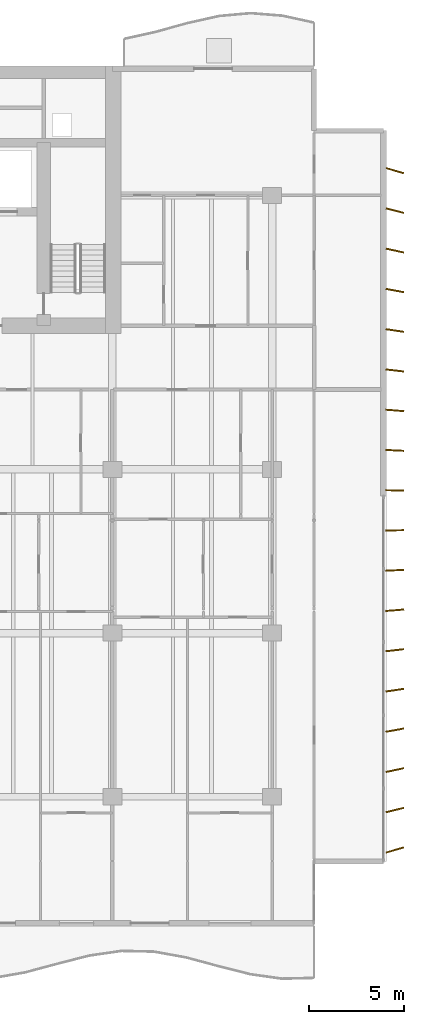
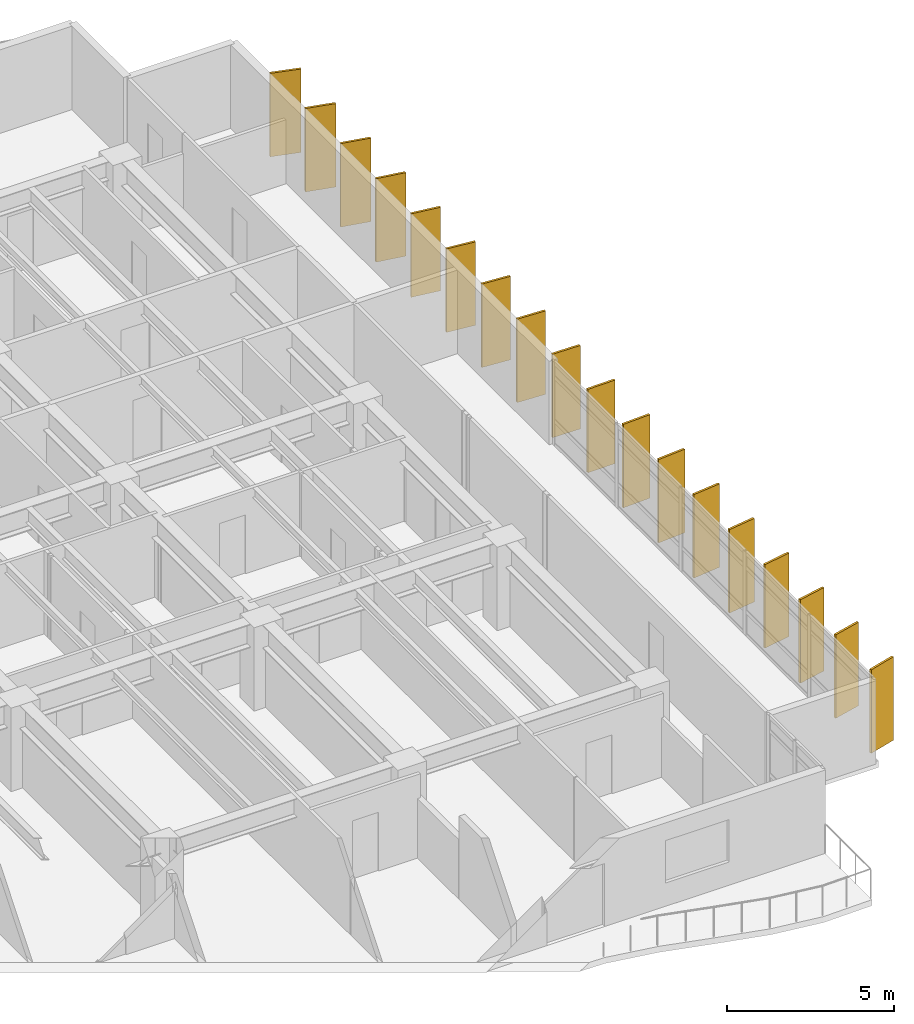
# One storey, part 19 of 19: 18 shading devices.
"""IFC4 building model written with IfcOpenShell, lengths in metres."""

from ifc_helpers import new_model, si_unit, direction, frame, origin, origin_2d, place, context, subcontext, project, spatial, rectangle, extrude, material, material_profile, profile_set, type_object, element, save


model = new_model("IFC4")

# Units and contexts
model_context = context("Model", 3, precision=1e-05, world=origin(), true_north=direction((0.0, 1.0)))
body_context = subcontext(model_context, "Body", "Model", "MODEL_VIEW")
ifc_project = project(units=[si_unit("LENGTHUNIT", "METRE"), si_unit("AREAUNIT", "SQUARE_METRE"), si_unit("VOLUMEUNIT", "CUBIC_METRE"), si_unit("PLANEANGLEUNIT", "RADIAN"), si_unit("MASSUNIT", "GRAM", prefix="KILO")], contexts=[model_context])

# Site, building, storey
site_placement = place(None, origin())
site = spatial("IfcSite", under=ifc_project, at=site_placement, CompositionType="ELEMENT")
building_placement = place(site_placement, origin())
building = spatial("IfcBuilding", under=site, at=building_placement, Name="Caelmar Bay Residences", CompositionType="ELEMENT")
storey_placement = place(building_placement, frame((0.0, 0.0, 115.800048828125)))
storey = spatial("IfcBuildingStorey", under=building, at=storey_placement, Name="L31", CompositionType="ELEMENT", Elevation=115.800048828125)

# Shading devices
ifc_material = material(Name="Anodised architectural bronze aluminium 6063-T6", Category="aluminium")
ifc_material_profile = material_profile(ifc_material, rectangle(XDim=0.074951171875, YDim=0.949951171875, at=origin_2d()), Name="BRONZE-FIN-75X950")
ifc_profile_set = profile_set([ifc_material_profile], Name="Anodised architectural bronze aluminium 6063-T6")
shading_device_type = type_object("IfcShadingDeviceType", Name="SHD-FIN-950", PredefinedType="USERDEFINED", material=ifc_profile_set)
for number, where, z_axis, x_axis, name in (
    (1, (74.35009765625, 9.39990234375, 0.0), (0.0, 0.0, 1.0), (-0.275637355817, 0.961261695938, 0.0), "L31 East Bronze Solar Fin 1"),
    (2, (74.35009765625, 11.5, 0.0), (0.0, 0.0, 1.0), (-0.243953546137, 0.969786918517, 0.0), "L31 East Bronze Solar Fin 2"),
    (3, (74.35009765625, 13.60009765625, 0.0), (0.0, 0.0, 1.0), (-0.212007109922, 0.977268123568, 0.0), "L31 East Bronze Solar Fin 3"),
    (4, (74.35009765625, 15.699951171875, 0.0), (0.0, 0.0, 1.0), (-0.179660748593, 0.98372862895, 0.0), "L31 East Bronze Solar Fin 4"),
    (5, (74.35009765625, 17.800048828125, 0.0), (0.0, 0.0, 1.0), (-0.147291543397, 0.989093120613, 0.0), "L31 East Bronze Solar Fin 5"),
    (6, (74.35009765625, 19.89990234375, 0.0), (0.0, 0.0, 1.0), (-0.114763772489, 0.993392810787, 0.0), "L31 East Bronze Solar Fin 6"),
    (7, (74.35009765625, 22.0, 0.0), (0.0, 0.0, 1.0), (-0.08211245342, 0.996623070671, 0.0), "L31 East Bronze Solar Fin 7"),
    (8, (74.35009765625, 24.10009765625, 0.0), (0.0, 0.0, 1.0), (-0.049198415926, 0.998789024705, 0.0), "L31 East Bronze Solar Fin 8"),
    (9, (74.35009765625, 26.199951171875, 0.0), (0.0, 0.0, 1.0), (-0.016405359001, 0.999865423043, 0.0), "L31 East Bronze Solar Fin 9"),
    (10, (74.35009765625, 28.300048828125, 0.0), (0.0, 0.0, 1.0), (0.016405359001, 0.999865423043, 0.0), "L31 East Bronze Solar Fin 10"),
    (11, (74.35009765625, 30.39990234375, 0.0), (0.0, 0.0, 1.0), (0.049198415926, 0.998789024705, 0.0), "L31 East Bronze Solar Fin 11"),
    (12, (74.35009765625, 32.5, 0.0), (0.0, 0.0, 1.0), (0.08211245342, 0.996623070671, 0.0), "L31 East Bronze Solar Fin 12"),
    (13, (74.35009765625, 34.60009765625, 0.0), (0.0, 0.0, 1.0), (0.114763772489, 0.993392810787, 0.0), "L31 East Bronze Solar Fin 13"),
    (14, (74.35009765625, 36.699951171875, 0.0), (0.0, 0.0, 1.0), (0.147291543397, 0.989093120613, 0.0), "L31 East Bronze Solar Fin 14"),
    (15, (74.35009765625, 38.800048828125, 0.0), (0.0, 0.0, 1.0), (0.179660748593, 0.98372862895, 0.0), "L31 East Bronze Solar Fin 15"),
    (16, (74.35009765625, 40.89990234375, 0.0), (0.0, 0.0, 1.0), (0.212007109922, 0.977268123568, 0.0), "L31 East Bronze Solar Fin 16"),
    (17, (74.35009765625, 43.0, 0.0), (0.0, 0.0, 1.0), (0.243953546137, 0.969786918517, 0.0), "L31 East Bronze Solar Fin 17"),
    (18, (74.35009765625, 45.10009765625, 0.0), (0.0, 0.0, 1.0), (0.275637355817, 0.961261695938, 0.0), "L31 East Bronze Solar Fin 18"),
):
    element("IfcShadingDevice", number, at=place(storey_placement, frame(where, z_axis=z_axis, x_axis=x_axis)), inside=storey, type_object=shading_device_type, Name=name, ObjectType="FIN", PredefinedType="USERDEFINED", context=body_context, shape_type="SweptSolid", body=[
        extrude(rectangle(XDim=0.074951171875, YDim=0.949951171875, at=origin_2d()), origin(), (0.0, 0.0, 1.0), 3.050048828125),
    ])

save(model, "model.ifc")
